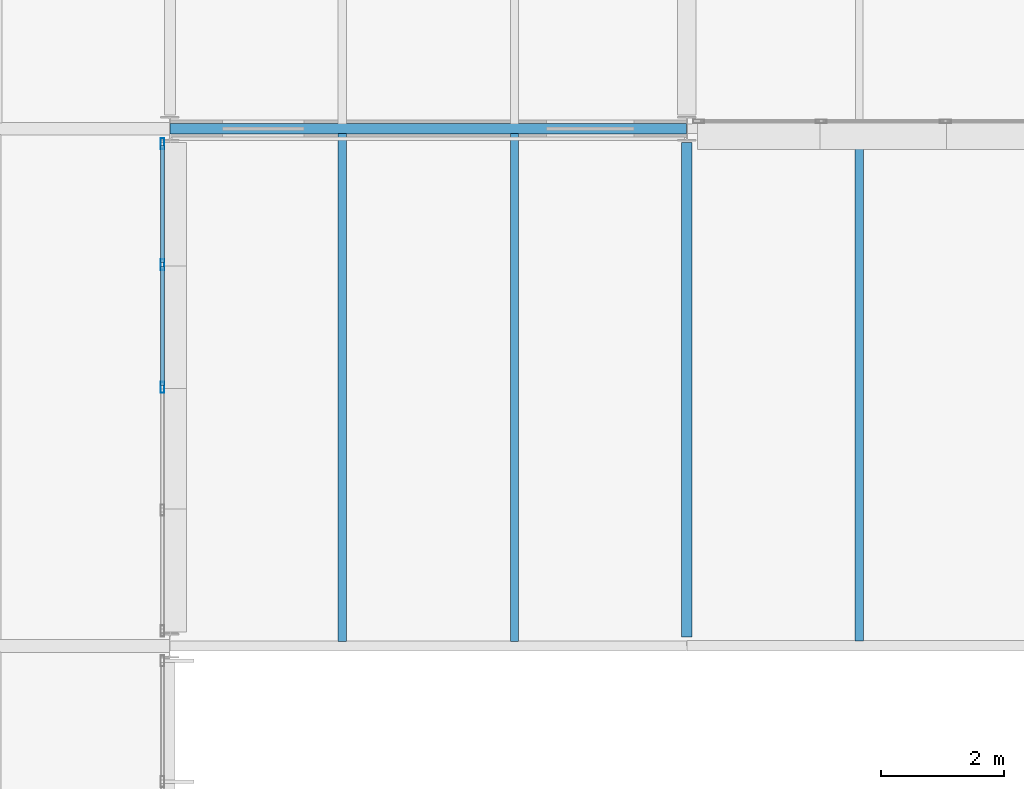
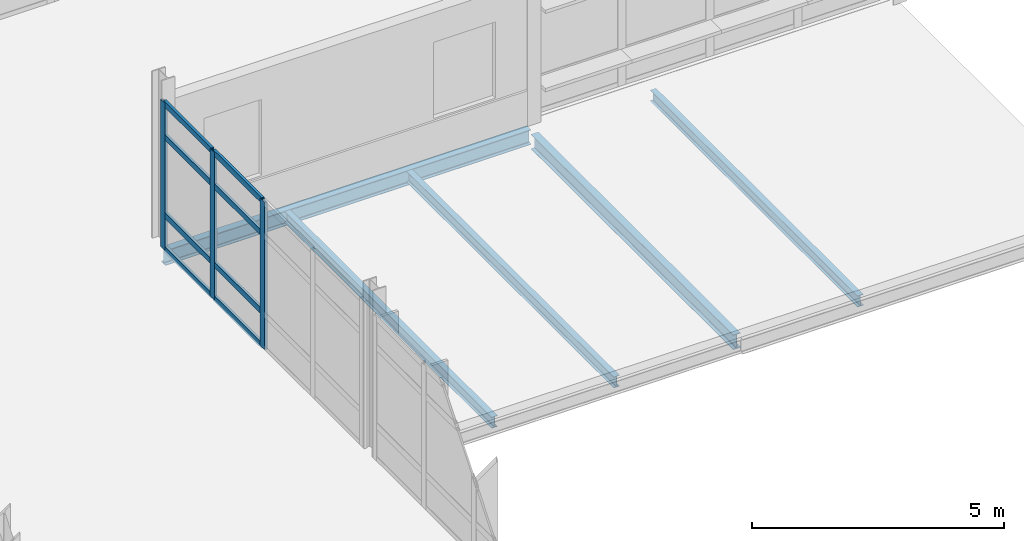
# One storey, part 42 of 151: 11 members, 5 beams, 1 element without a shape of its own.
"""IFC4 building model written with IfcOpenShell, lengths in metres."""

from ifc_helpers import new_model, si_unit, direction, frame, origin, origin_2d, place, context, subcontext, project, spatial, hollow_rectangle, i_section, extrude, material, material_profile, profile_set, type_object, element, aggregate, save


model = new_model("IFC4")

# Units and contexts
model_context = context("Model", 3, precision=1e-05, world=origin(), true_north=direction((0.0, 1.0)))
body_context = subcontext(model_context, "Body", "Model", "MODEL_VIEW")
ifc_project = project(units=[si_unit("LENGTHUNIT", "METRE"), si_unit("AREAUNIT", "SQUARE_METRE"), si_unit("VOLUMEUNIT", "CUBIC_METRE"), si_unit("PLANEANGLEUNIT", "RADIAN"), si_unit("MASSUNIT", "GRAM", prefix="KILO")], contexts=[model_context])

# Site, building, storey
site_placement = place(None, origin())
site = spatial("IfcSite", under=ifc_project, at=site_placement, CompositionType="ELEMENT")
building_placement = place(site_placement, origin())
building = spatial("IfcBuilding", under=site, at=building_placement, Name="Mersafa Astral City Hall", CompositionType="ELEMENT")
storey_placement = place(building_placement, frame((0.0, 0.0, 9.89990234375)))
storey = spatial("IfcBuildingStorey", under=building, at=storey_placement, Name="L02", CompositionType="ELEMENT", Elevation=9.89990234375)

# Curtain wall, members
ifc_material_1 = material(Name="Anodised bronze aluminium framing", Category="aluminium")
curtain_wall_type = type_object("IfcCurtainWallType", Name="ENV-CW-4", PredefinedType="USERDEFINED", material=ifc_material_1)
curtain_wall_placement = place(storey_placement, origin())
curtain_wall = element("IfcCurtainWall", 1, at=curtain_wall_placement, inside=storey, type_object=curtain_wall_type, Name="L02 Unitised solar curtain wall 135", ObjectType="UNITISED CURTAIN WALL", PredefinedType="USERDEFINED")
ifc_material_profile_1 = material_profile(ifc_material_1, hollow_rectangle(XDim=0.06005859375, YDim=0.179931640625, WallThickness=0.00390625, at=origin_2d()), Name="RHS 60x180x4")
ifc_profile_set_1 = profile_set([ifc_material_profile_1], Name="Anodised bronze aluminium framing")
member_type_1 = type_object("IfcMemberType", Name="ENV-CW-MUL-1", PredefinedType="MULLION", material=ifc_profile_set_1)
member_1_placement = place(storey_placement, frame((25.080078125, 88.199951171875, -0.001953125), z_axis=(0.0, 0.0, 1.0), x_axis=(-1.0, 0.0, 0.0)))
member_1 = element("IfcMember", 2, at=member_1_placement, type_object=member_type_1, Name="CW-4 mullion 3", PredefinedType="MULLION", context=body_context, shape_type="SweptSolid", body=[
    extrude(hollow_rectangle(XDim=0.06005859375, YDim=0.179931640625, WallThickness=0.00390625, at=origin_2d()), origin(), (0.0, 0.0, 1.0), 3.5791015625),
])
member_2_placement = place(storey_placement, frame((25.080078125, 90.194091796875, -0.001953125), z_axis=(0.0, 0.0, 1.0), x_axis=(-1.0, 0.0, 0.0)))
member_2 = element("IfcMember", 3, at=member_2_placement, type_object=member_type_1, Name="CW-4 mullion 4", PredefinedType="MULLION", context=body_context, shape_type="SweptSolid", body=[
    extrude(hollow_rectangle(XDim=0.06005859375, YDim=0.179931640625, WallThickness=0.00390625, at=origin_2d()), origin(), (0.0, 0.0, 1.0), 3.5791015625),
])
member_3_placement = place(storey_placement, frame((25.080078125, 92.157958984375, -0.001953125), z_axis=(0.0, 0.0, 1.0), x_axis=(-1.0, 0.0, 0.0)))
member_3 = element("IfcMember", 4, at=member_3_placement, type_object=member_type_1, Name="CW-4 mullion 5", PredefinedType="MULLION", context=body_context, shape_type="SweptSolid", body=[
    extrude(hollow_rectangle(XDim=0.06005859375, YDim=0.179931640625, WallThickness=0.00390625, at=origin_2d()), origin(), (0.0, 0.0, 1.0), 3.5791015625),
])
ifc_material_profile_2 = material_profile(ifc_material_1, hollow_rectangle(XDim=0.06005859375, YDim=0.139892578125, WallThickness=0.00390625, at=origin_2d()), Name="RHS 60x140x4")
ifc_profile_set_2 = profile_set([ifc_material_profile_2], Name="Anodised bronze aluminium framing")
member_type_2 = type_object("IfcMemberType", Name="ENV-CW-TRN-1", PredefinedType="USERDEFINED", material=ifc_profile_set_2)
member_4_placement = place(storey_placement, frame((25.080078125, 88.22998046875, 0.028076171875), z_axis=(0.0, 1.0, 0.0), x_axis=(-1.0, 0.0, 0.0)))
member_4 = element("IfcMember", 5, at=member_4_placement, type_object=member_type_2, Name="CW-4 transom 3.1", ObjectType="TRANSOM", PredefinedType="USERDEFINED", context=body_context, shape_type="SweptSolid", body=[
    extrude(hollow_rectangle(XDim=0.06005859375, YDim=0.139892578125, WallThickness=0.00390625, at=origin_2d()), origin(), (0.0, 0.0, 1.0), 1.93408203125),
])
member_5_placement = place(storey_placement, frame((25.080078125, 88.22998046875, 0.85009765625), z_axis=(0.0, 1.0, 0.0), x_axis=(-1.0, 0.0, 0.0)))
member_5 = element("IfcMember", 6, at=member_5_placement, type_object=member_type_2, Name="CW-4 transom 3.2", ObjectType="TRANSOM", PredefinedType="USERDEFINED", context=body_context, shape_type="SweptSolid", body=[
    extrude(hollow_rectangle(XDim=0.06005859375, YDim=0.139892578125, WallThickness=0.00390625, at=origin_2d()), origin(), (0.0, 0.0, 1.0), 1.93408203125),
])
member_6_placement = place(storey_placement, frame((25.080078125, 88.22998046875, 2.75), z_axis=(0.0, 1.0, 0.0), x_axis=(-1.0, 0.0, 0.0)))
member_6 = element("IfcMember", 7, at=member_6_placement, type_object=member_type_2, Name="CW-4 transom 3.3", ObjectType="TRANSOM", PredefinedType="USERDEFINED", context=body_context, shape_type="SweptSolid", body=[
    extrude(hollow_rectangle(XDim=0.06005859375, YDim=0.139892578125, WallThickness=0.00390625, at=origin_2d()), origin(), (0.0, 0.0, 1.0), 1.93408203125),
])
member_7_placement = place(storey_placement, frame((25.080078125, 88.22998046875, 3.547119140625), z_axis=(0.0, 1.0, 0.0), x_axis=(-1.0, 0.0, 0.0)))
member_7 = element("IfcMember", 8, at=member_7_placement, type_object=member_type_2, Name="CW-4 transom 3.4", ObjectType="TRANSOM", PredefinedType="USERDEFINED", context=body_context, shape_type="SweptSolid", body=[
    extrude(hollow_rectangle(XDim=0.06005859375, YDim=0.139892578125, WallThickness=0.00390625, at=origin_2d()), origin(), (0.0, 0.0, 1.0), 1.93408203125),
])
member_8_placement = place(storey_placement, frame((25.080078125, 90.22412109375, 0.028076171875), z_axis=(0.0, 1.0, 0.0), x_axis=(-1.0, 0.0, 0.0)))
member_8 = element("IfcMember", 9, at=member_8_placement, type_object=member_type_2, Name="CW-4 transom 4.1", ObjectType="TRANSOM", PredefinedType="USERDEFINED", context=body_context, shape_type="SweptSolid", body=[
    extrude(hollow_rectangle(XDim=0.06005859375, YDim=0.139892578125, WallThickness=0.00390625, at=origin_2d()), origin(), (0.0, 0.0, 1.0), 1.90380859375),
])
member_9_placement = place(storey_placement, frame((25.080078125, 90.22412109375, 0.85009765625), z_axis=(0.0, 1.0, 0.0), x_axis=(-1.0, 0.0, 0.0)))
member_9 = element("IfcMember", 10, at=member_9_placement, type_object=member_type_2, Name="CW-4 transom 4.2", ObjectType="TRANSOM", PredefinedType="USERDEFINED", context=body_context, shape_type="SweptSolid", body=[
    extrude(hollow_rectangle(XDim=0.06005859375, YDim=0.139892578125, WallThickness=0.00390625, at=origin_2d()), origin(), (0.0, 0.0, 1.0), 1.90380859375),
])
member_10_placement = place(storey_placement, frame((25.080078125, 90.22412109375, 2.75), z_axis=(0.0, 1.0, 0.0), x_axis=(-1.0, 0.0, 0.0)))
member_10 = element("IfcMember", 11, at=member_10_placement, type_object=member_type_2, Name="CW-4 transom 4.3", ObjectType="TRANSOM", PredefinedType="USERDEFINED", context=body_context, shape_type="SweptSolid", body=[
    extrude(hollow_rectangle(XDim=0.06005859375, YDim=0.139892578125, WallThickness=0.00390625, at=origin_2d()), origin(), (0.0, 0.0, 1.0), 1.90380859375),
])
member_11_placement = place(storey_placement, frame((25.080078125, 90.22412109375, 3.547119140625), z_axis=(0.0, 1.0, 0.0), x_axis=(-1.0, 0.0, 0.0)))
member_11 = element("IfcMember", 12, at=member_11_placement, type_object=member_type_2, Name="CW-4 transom 4.4", ObjectType="TRANSOM", PredefinedType="USERDEFINED", context=body_context, shape_type="SweptSolid", body=[
    extrude(hollow_rectangle(XDim=0.06005859375, YDim=0.139892578125, WallThickness=0.00390625, at=origin_2d()), origin(), (0.0, 0.0, 1.0), 1.90380859375),
])
aggregate(curtain_wall, [member_1, member_2, member_3, member_4, member_5, member_6, member_7, member_8, member_9, member_10, member_11])

# Beams
ifc_material_2 = material(Name="Steel S355", Category="steel")
ifc_material_profile_3 = material_profile(ifc_material_2, i_section(OverallWidth=0.135009765625, OverallDepth=0.27001953125, WebThickness=0.006591796875, FlangeThickness=0.01025390625, FilletRadius=0.014892578125, at=origin_2d()), Name="IPE 270")
ifc_profile_set_3 = profile_set([ifc_material_profile_3], Name="Steel S355")
beam_type_1 = type_object("IfcBeamType", Name="STR-BM-JOIST-IPE270", PredefinedType="JOIST", material=ifc_profile_set_3)
for number, where, z_axis, x_axis, name in (
    (13, (28.0, 84.074951171875, -0.3349609375), (0.0, 1.0, 0.0), (-1.0, 0.0, 0.0), "L02 Flat roof secondary joist 1"),
    (14, (30.800048828125, 84.074951171875, -0.3349609375), (0.0, 1.0, 0.0), (-1.0, 0.0, 0.0), "L02 Flat roof secondary joist 2"),
):
    element("IfcBeam", number, at=place(storey_placement, frame(where, z_axis=z_axis, x_axis=x_axis)), inside=storey, type_object=beam_type_1, Name=name, PredefinedType="JOIST", context=body_context, shape_type="SweptSolid", body=[
        extrude(i_section(OverallWidth=0.135009765625, OverallDepth=0.27001953125, WebThickness=0.006591796875, FlangeThickness=0.01025390625, FilletRadius=0.014892578125, at=origin_2d()), origin(), (0.0, 0.0, 1.0), 8.2451171875),
    ])
beam_1_placement = place(storey_placement, frame((36.39990234375, 84.080078125, -0.3349609375), z_axis=(0.0, 1.0, 0.0), x_axis=(-1.0, 0.0, 0.0)))
element("IfcBeam", 15, at=beam_1_placement, inside=storey, type_object=beam_type_1, Name="L02 Flat roof secondary joist 3", PredefinedType="JOIST", context=body_context, shape_type="SweptSolid", body=[
    extrude(i_section(OverallWidth=0.135009765625, OverallDepth=0.27001953125, WebThickness=0.006591796875, FlangeThickness=0.01025390625, FilletRadius=0.014892578125, at=origin_2d()), origin(), (0.0, 0.0, 1.0), 8.244873046875),
])
ifc_material_profile_4 = material_profile(ifc_material_2, i_section(OverallWidth=0.169921875, OverallDepth=0.360107421875, WebThickness=0.008056640625, FlangeThickness=0.0126953125, FilletRadius=0.01806640625, at=origin_2d()), Name="IPE 360")
ifc_profile_set_4 = profile_set([ifc_material_profile_4], Name="Steel S355")
beam_type_2 = type_object("IfcBeamType", Name="STR-BM-SPANDREL-IPE360", PredefinedType="SPANDREL", material=ifc_profile_set_4)
beam_2_placement = place(storey_placement, frame((25.202880859375, 92.39990234375, -0.3798828125), z_axis=(1.0, 0.0, 0.0), x_axis=(0.0, 1.0, 0.0)))
element("IfcBeam", 16, at=beam_2_placement, inside=storey, type_object=beam_type_2, Name="L02 Primary girder X 3-11", PredefinedType="SPANDREL", context=body_context, shape_type="SweptSolid", body=[
    extrude(i_section(OverallWidth=0.169921875, OverallDepth=0.360107421875, WebThickness=0.008056640625, FlangeThickness=0.0126953125, FilletRadius=0.01806640625, at=origin_2d()), origin(), (0.0, 0.0, 1.0), 8.39404296875),
])
beam_3_placement = place(storey_placement, frame((33.60009765625, 84.14501953125, -0.3798828125), z_axis=(0.0, 1.0, 0.0), x_axis=(-1.0, 0.0, 0.0)))
element("IfcBeam", 17, at=beam_3_placement, inside=storey, type_object=beam_type_2, Name="L02 Primary girder Y 4-10", PredefinedType="SPANDREL", context=body_context, shape_type="SweptSolid", body=[
    extrude(i_section(OverallWidth=0.169921875, OverallDepth=0.360107421875, WebThickness=0.008056640625, FlangeThickness=0.0126953125, FilletRadius=0.01806640625, at=origin_2d()), origin(), (0.0, 0.0, 1.0), 8.034912109375),
])

save(model, "model.ifc")
